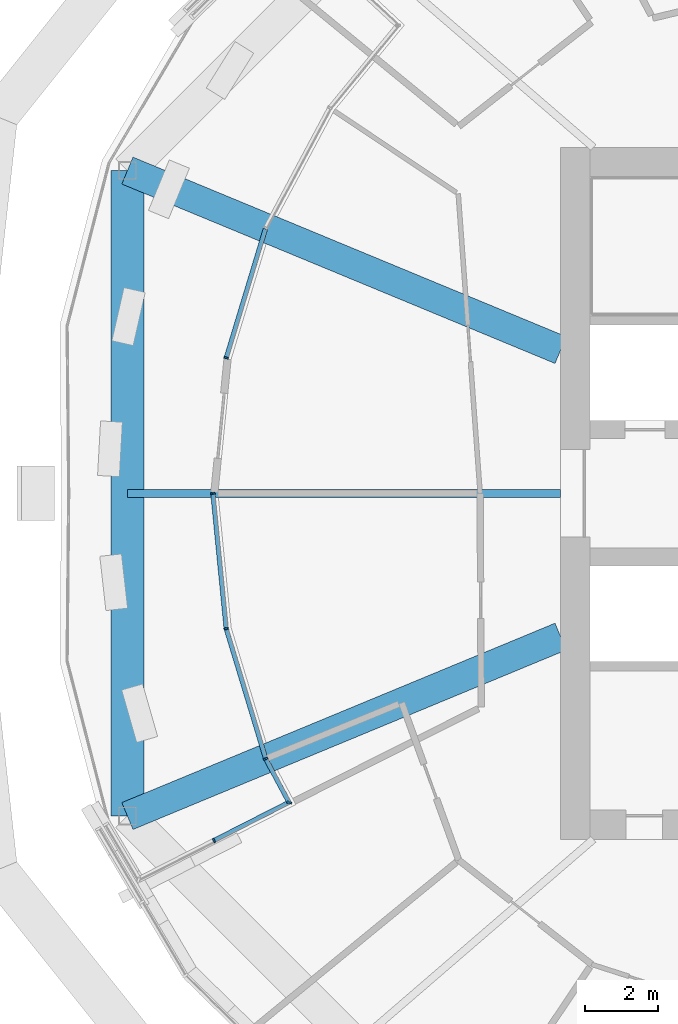
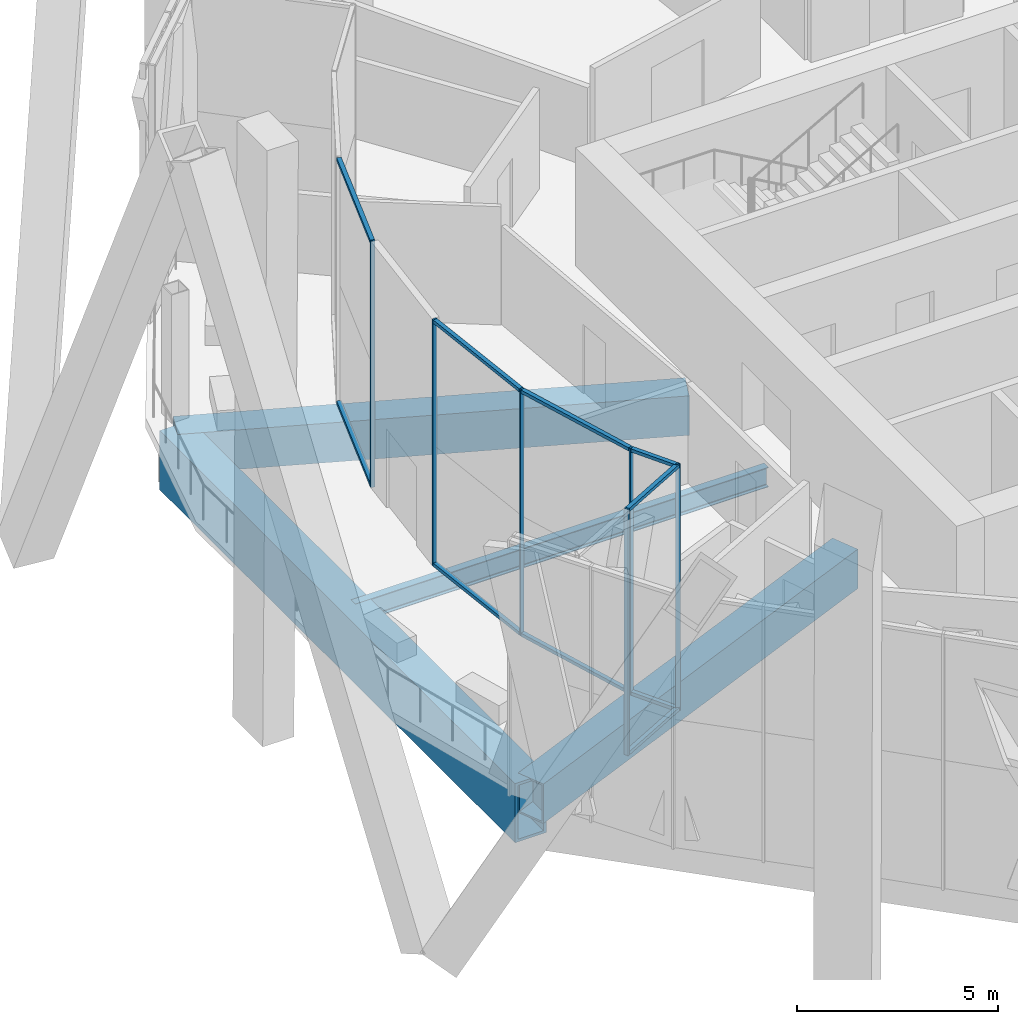
# One storey, part 5 of 30: 16 members, 4 beams, 2 elements without a shape of their own.
"""IFC4 building model written with IfcOpenShell, lengths in metres."""

from ifc_helpers import new_model, si_unit, direction, frame, origin, origin_2d, place, context, subcontext, project, spatial, rectangle, hollow_rectangle, i_section, extrude, material, material_profile, profile_set, type_object, element, aggregate, save


model = new_model("IFC4")

# Units and contexts
model_context = context("Model", 3, precision=1e-05, world=origin(), true_north=direction((0.0, 1.0)))
body_context = subcontext(model_context, "Body", "Model", "MODEL_VIEW")
ifc_project = project(units=[si_unit("LENGTHUNIT", "METRE"), si_unit("AREAUNIT", "SQUARE_METRE"), si_unit("VOLUMEUNIT", "CUBIC_METRE"), si_unit("PLANEANGLEUNIT", "RADIAN"), si_unit("MASSUNIT", "GRAM", prefix="KILO")], contexts=[model_context])

# Site, building, storey
site_placement = place(None, origin())
site = spatial("IfcSite", under=ifc_project, at=site_placement, CompositionType="ELEMENT")
building_placement = place(site_placement, origin())
building = spatial("IfcBuilding", under=site, at=building_placement, Name="Ogive Gate Towers", CompositionType="ELEMENT")
storey_placement = place(building_placement, frame((0.0, 0.0, 99.60009765625)))
storey = spatial("IfcBuildingStorey", under=building, at=storey_placement, Name="L23", CompositionType="ELEMENT", Elevation=99.60009765625)

# Beams
ifc_material_1 = material(Name="Steel SM460", Category="steel")
ifc_material_profile_1 = material_profile(ifc_material_1, hollow_rectangle(XDim=0.89990234375, YDim=1.800048828125, WallThickness=0.080078125, at=origin_2d()), Name="BX 1800x900x80")
ifc_profile_set_1 = profile_set([ifc_material_profile_1], Name="Steel SM460")
beam_type_1 = type_object("IfcBeamType", Name="Edge girder BX 1800x900x80", PredefinedType="BEAM", material=ifc_profile_set_1)
beam_1_placement = place(storey_placement, frame((-57.39697265625, 8.863037109375, -1.2001953125), z_axis=(0.0, -1.0, 0.0), x_axis=(1.0, 0.0, 0.0)))
element("IfcBeam", 1, at=beam_1_placement, inside=storey, type_object=beam_type_1, Name="T1/L23/SBM024", PredefinedType="BEAM", context=body_context, shape_type="SweptSolid", body=[
    extrude(hollow_rectangle(XDim=0.89990234375, YDim=1.800048828125, WallThickness=0.080078125, at=origin_2d()), origin(), (0.0, 0.0, 1.0), 17.72607421875),
])
ifc_material_2 = material(Name="Steel SM355", Category="steel")
ifc_material_profile_2 = material_profile(ifc_material_2, i_section(OverallWidth=0.219970703125, OverallDepth=0.60009765625, WebThickness=0.011962890625, FlangeThickness=0.01904296875, FilletRadius=0.02392578125, at=origin_2d()), Name="IPE 600")
ifc_profile_set_2 = profile_set([ifc_material_profile_2], Name="Steel SM355")
beam_type_2 = type_object("IfcBeamType", Name="Radial floor beam IPE 600", PredefinedType="BEAM", material=ifc_profile_set_2)
beam_2_placement = place(storey_placement, frame((-45.5, 0.0, -0.60009765625), z_axis=(-1.0, 0.0, 0.0), x_axis=(0.0, -1.0, 0.0)))
element("IfcBeam", 2, at=beam_2_placement, inside=storey, type_object=beam_type_2, Name="T1/L23/SBM016", PredefinedType="BEAM", context=body_context, shape_type="SweptSolid", body=[
    extrude(i_section(OverallWidth=0.219970703125, OverallDepth=0.60009765625, WebThickness=0.011962890625, FlangeThickness=0.01904296875, FilletRadius=0.02392578125, at=origin_2d()), origin(), (0.0, 0.0, 1.0), 11.89697265625),
])

# Curtain wall, member
ifc_material_3 = material(Name="Pale metal aluminium", Category="aluminium")
curtain_wall_type = type_object("IfcCurtainWallType", Name="Sky garden glazing", PredefinedType="NOTDEFINED", material=ifc_material_3)
curtain_wall_1_placement = place(storey_placement, origin())
curtain_wall_1 = element("IfcCurtainWall", 3, at=curtain_wall_1_placement, inside=storey, type_object=curtain_wall_type, Name="CW4 T1 ECW01", PredefinedType="NOTDEFINED")
ifc_material_profile_3 = material_profile(ifc_material_3, rectangle(XDim=0.1201171875, YDim=0.050048828125, at=origin_2d()), Name="50 x 120 aluminium box")
ifc_profile_set_3 = profile_set([ifc_material_profile_3], Name="Pale metal aluminium")
member_type_1 = type_object("IfcMemberType", Name="Sky garden glazing mullion 50 x 120", PredefinedType="MULLION", material=ifc_profile_set_3)
member_1_placement = place(storey_placement, frame((-54.68359375, 3.720458984375, 0.0), z_axis=(0.0, 0.0, 1.0), x_axis=(0.956940335732, -0.290284677254, 0.0)))
member_1 = element("IfcMember", 4, at=member_1_placement, type_object=member_type_1, Name="CW4 mullion", PredefinedType="MULLION", context=body_context, shape_type="SweptSolid", body=[
    extrude(rectangle(XDim=0.1201171875, YDim=0.050048828125, at=origin_2d()), origin(), (0.0, 0.0, 1.0), 7.5),
])

# Curtain wall, members
curtain_wall_2_placement = place(storey_placement, origin())
curtain_wall_2 = element("IfcCurtainWall", 5, at=curtain_wall_2_placement, inside=storey, type_object=curtain_wall_type, Name="CW4 T1 ECW02", PredefinedType="NOTDEFINED")
member_2_placement = place(storey_placement, frame((-55.019775390625, -9.533935546875, 0.0), z_axis=(0.0, 0.0, 1.0), x_axis=(0.453974948673, -0.891014447682, 0.0)))
member_2 = element("IfcMember", 6, at=member_2_placement, type_object=member_type_1, Name="CW4 mullion", PredefinedType="MULLION", context=body_context, shape_type="SweptSolid", body=[
    extrude(rectangle(XDim=0.1201171875, YDim=0.050048828125, at=origin_2d()), origin(), (0.0, 0.0, 1.0), 7.5),
])
member_3_placement = place(storey_placement, frame((-52.945556640625, -8.490478515625, 0.0), z_axis=(0.0, 0.0, 1.0), x_axis=(0.954041787297, -0.299673602593, 0.0)))
member_3 = element("IfcMember", 7, at=member_3_placement, type_object=member_type_1, Name="CW4 mullion", PredefinedType="MULLION", context=body_context, shape_type="SweptSolid", body=[
    extrude(rectangle(XDim=0.1201171875, YDim=0.050048828125, at=origin_2d()), origin(), (0.0, 0.0, 1.0), 7.5),
])
member_4_placement = place(storey_placement, frame((-53.600341796875, -7.290283203125, 0.0), z_axis=(0.0, 0.0, 1.0), x_axis=(0.923879532511, 0.382683432365, 0.0)))
member_4 = element("IfcMember", 8, at=member_4_placement, type_object=member_type_1, Name="CW4 mullion", PredefinedType="MULLION", context=body_context, shape_type="SweptSolid", body=[
    extrude(rectangle(XDim=0.1201171875, YDim=0.050048828125, at=origin_2d()), origin(), (0.0, 0.0, 1.0), 7.5),
])
member_5_placement = place(storey_placement, frame((-54.684326171875, -3.716552734375, 0.0), z_axis=(0.0, 0.0, 1.0), x_axis=(0.980785280403, 0.195090322016, 0.0)))
member_5 = element("IfcMember", 9, at=member_5_placement, type_object=member_type_1, Name="CW4 mullion", PredefinedType="MULLION", context=body_context, shape_type="SweptSolid", body=[
    extrude(rectangle(XDim=0.1201171875, YDim=0.050048828125, at=origin_2d()), origin(), (0.0, 0.0, 1.0), 7.5),
])
member_6_placement = place(storey_placement, frame((-55.05029296875, -0.00390625, 0.0), z_axis=(0.0, 0.0, 1.0), x_axis=(0.995184726672, 0.09801714033, 0.0)))
member_6 = element("IfcMember", 10, at=member_6_placement, type_object=member_type_1, Name="CW4 mullion", PredefinedType="MULLION", context=body_context, shape_type="SweptSolid", body=[
    extrude(rectangle(XDim=0.1201171875, YDim=0.050048828125, at=origin_2d()), origin(), (0.0, 0.0, 1.0), 7.5),
])

# Member
ifc_material_profile_4 = material_profile(ifc_material_3, rectangle(XDim=0.1201171875, YDim=0.10009765625, at=origin_2d()), Name="100 x 120 aluminium box")
ifc_profile_set_4 = profile_set([ifc_material_profile_4], Name="Pale metal aluminium")
member_type_2 = type_object("IfcMemberType", Name="Sky garden glazing transom 100 x 120", PredefinedType="USERDEFINED", material=ifc_profile_set_4)
member_7_placement = place(storey_placement, frame((-54.67626953125, 3.744384765625, 7.449951171875), z_axis=(0.290313313921, 0.956931648426, 0.0), x_axis=(-0.956931648426, 0.290313313921, 0.0)))
member_7 = element("IfcMember", 11, at=member_7_placement, type_object=member_type_2, Name="CW4 transom", ObjectType="TRANSOM", PredefinedType="USERDEFINED", context=body_context, shape_type="SweptSolid", body=[
    extrude(rectangle(XDim=0.1201171875, YDim=0.10009765625, at=origin_2d()), origin(), (0.0, 0.0, 1.0), 3.6767578125),
])

member_8_placement = place(storey_placement, frame((-54.67626953125, 3.744384765625, 0.0498046875), z_axis=(0.290313313921, 0.956931648426, 0.0), x_axis=(-0.956931648426, 0.290313313921, 0.0)))
member_8 = element("IfcMember", 12, at=member_8_placement, type_object=member_type_2, Name="CW4 transom", ObjectType="TRANSOM", PredefinedType="USERDEFINED", context=body_context, shape_type="SweptSolid", body=[
    extrude(rectangle(XDim=0.1201171875, YDim=0.10009765625, at=origin_2d()), origin(), (0.0, 0.0, 1.0), 3.6767578125),
])

aggregate(curtain_wall_1, [member_1, member_7, member_8])

member_9_placement = place(storey_placement, frame((-54.997314453125, -9.5224609375, 7.449951171875), z_axis=(0.891026536769, 0.453951220698, 0.0), x_axis=(-0.453951220698, 0.891026536769, 0.0)))
member_9 = element("IfcMember", 13, at=member_9_placement, type_object=member_type_2, Name="CW4 transom", ObjectType="TRANSOM", PredefinedType="USERDEFINED", context=body_context, shape_type="SweptSolid", body=[
    extrude(rectangle(XDim=0.1201171875, YDim=0.10009765625, at=origin_2d()), origin(), (0.0, 0.0, 1.0), 2.30029296875),
])

member_10_placement = place(storey_placement, frame((-54.997314453125, -9.5224609375, 0.0498046875), z_axis=(0.891026536769, 0.453951220698, 0.0), x_axis=(-0.453951220698, 0.891026536769, 0.0)))
member_10 = element("IfcMember", 14, at=member_10_placement, type_object=member_type_2, Name="CW4 transom", ObjectType="TRANSOM", PredefinedType="USERDEFINED", context=body_context, shape_type="SweptSolid", body=[
    extrude(rectangle(XDim=0.1201171875, YDim=0.10009765625, at=origin_2d()), origin(), (0.0, 0.0, 1.0), 2.30029296875),
])

member_11_placement = place(storey_placement, frame((-52.954345703125, -8.499267578125, 7.449951171875), z_axis=(-0.471428510449, 0.881904280257, 0.0), x_axis=(-0.881904280257, -0.471428510449, 0.0)))
member_11 = element("IfcMember", 15, at=member_11_placement, type_object=member_type_2, Name="CW4 transom", ObjectType="TRANSOM", PredefinedType="USERDEFINED", context=body_context, shape_type="SweptSolid", body=[
    extrude(rectangle(XDim=0.1201171875, YDim=0.10009765625, at=origin_2d()), origin(), (0.0, 0.0, 1.0), 1.341796875),
])

member_12_placement = place(storey_placement, frame((-52.954345703125, -8.499267578125, 0.0498046875), z_axis=(-0.471428510449, 0.881904280257, 0.0), x_axis=(-0.881904280257, -0.471428510449, 0.0)))
member_12 = element("IfcMember", 16, at=member_12_placement, type_object=member_type_2, Name="CW4 transom", ObjectType="TRANSOM", PredefinedType="USERDEFINED", context=body_context, shape_type="SweptSolid", body=[
    extrude(rectangle(XDim=0.1201171875, YDim=0.10009765625, at=origin_2d()), origin(), (0.0, 0.0, 1.0), 1.341796875),
])

member_13_placement = place(storey_placement, frame((-53.60888671875, -7.2626953125, 7.449951171875), z_axis=(-0.290313313921, 0.956931648426, 0.0), x_axis=(-0.956931648426, -0.290313313921, 0.0)))
member_13 = element("IfcMember", 17, at=member_13_placement, type_object=member_type_2, Name="CW4 transom", ObjectType="TRANSOM", PredefinedType="USERDEFINED", context=body_context, shape_type="SweptSolid", body=[
    extrude(rectangle(XDim=0.1201171875, YDim=0.10009765625, at=origin_2d()), origin(), (0.0, 0.0, 1.0), 3.6767578125),
])

member_14_placement = place(storey_placement, frame((-53.60888671875, -7.2626953125, 0.0498046875), z_axis=(-0.290313313921, 0.956931648426, 0.0), x_axis=(-0.956931648426, -0.290313313921, 0.0)))
member_14 = element("IfcMember", 18, at=member_14_placement, type_object=member_type_2, Name="CW4 transom", ObjectType="TRANSOM", PredefinedType="USERDEFINED", context=body_context, shape_type="SweptSolid", body=[
    extrude(rectangle(XDim=0.1201171875, YDim=0.10009765625, at=origin_2d()), origin(), (0.0, 0.0, 1.0), 3.6767578125),
])

member_15_placement = place(storey_placement, frame((-54.6875, -3.687744140625, 7.449951171875), z_axis=(-0.098011177909, 0.995185313901, 0.0), x_axis=(-0.995185313901, -0.098011177909, 0.0)))
member_15 = element("IfcMember", 19, at=member_15_placement, type_object=member_type_2, Name="CW4 transom", ObjectType="TRANSOM", PredefinedType="USERDEFINED", context=body_context, shape_type="SweptSolid", body=[
    extrude(rectangle(XDim=0.1201171875, YDim=0.10009765625, at=origin_2d()), origin(), (0.0, 0.0, 1.0), 3.6767578125),
])

member_16_placement = place(storey_placement, frame((-54.6875, -3.687744140625, 0.0498046875), z_axis=(-0.098011177909, 0.995185313901, 0.0), x_axis=(-0.995185313901, -0.098011177909, 0.0)))
member_16 = element("IfcMember", 20, at=member_16_placement, type_object=member_type_2, Name="CW4 transom", ObjectType="TRANSOM", PredefinedType="USERDEFINED", context=body_context, shape_type="SweptSolid", body=[
    extrude(rectangle(XDim=0.1201171875, YDim=0.10009765625, at=origin_2d()), origin(), (0.0, 0.0, 1.0), 3.6767578125),
])

aggregate(curtain_wall_2, [member_2, member_3, member_9, member_10, member_4, member_11, member_12, member_5, member_13, member_14, member_6, member_15, member_16])

# Beams
ifc_material_profile_5 = material_profile(ifc_material_1, hollow_rectangle(XDim=0.800048828125, YDim=1.199951171875, WallThickness=0.050048828125, at=origin_2d()), Name="BX 1200x800x50")
ifc_profile_set_5 = profile_set([ifc_material_profile_5], Name="Steel SM460")
beam_type_3 = type_object("IfcBeamType", Name="Transfer radial beam BX 1200x800x50", PredefinedType="BEAM", material=ifc_profile_set_5)
for number, where, z_axis, x_axis, name in (
    (21, (-45.5, -3.93505859375, -0.900146484375), (-0.923877031545, -0.382689470177, 0.0), (0.382689470177, -0.923877031545, 0.0), "T1/L23/SBM001"),
    (22, (-45.5, 3.93505859375, -0.900146484375), (-0.923877031545, 0.382689470177, 0.0), (-0.382689470177, -0.923877031545, 0.0), "T1/L23/SBM015"),
):
    element("IfcBeam", number, at=place(storey_placement, frame(where, z_axis=z_axis, x_axis=x_axis)), inside=storey, type_object=beam_type_3, Name=name, PredefinedType="BEAM", context=body_context, shape_type="SweptSolid", body=[
        extrude(hollow_rectangle(XDim=0.800048828125, YDim=1.199951171875, WallThickness=0.050048828125, at=origin_2d()), origin(), (0.0, 0.0, 1.0), 12.877197265625),
    ])

save(model, "model.ifc")
